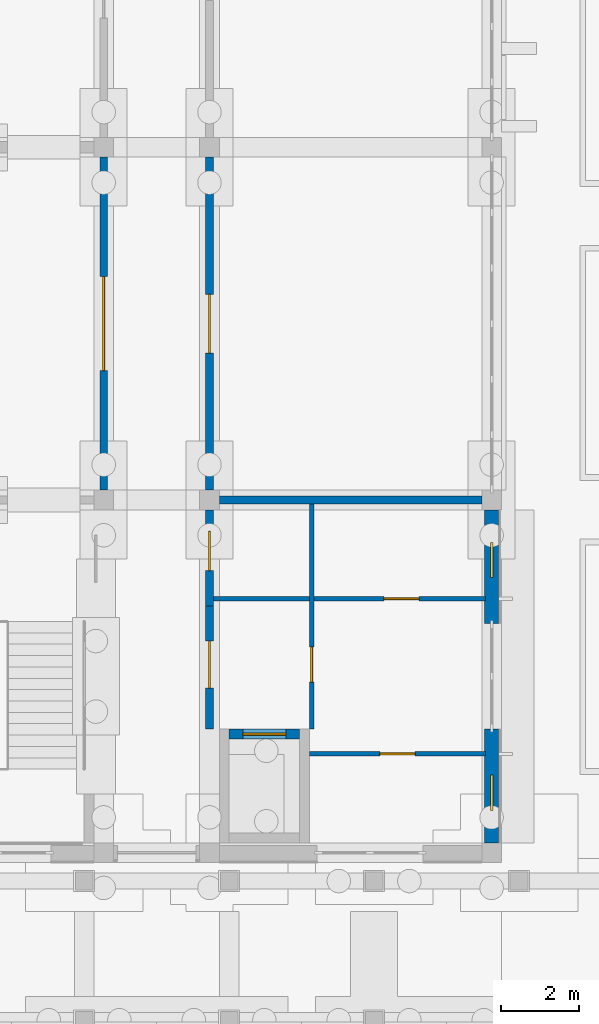
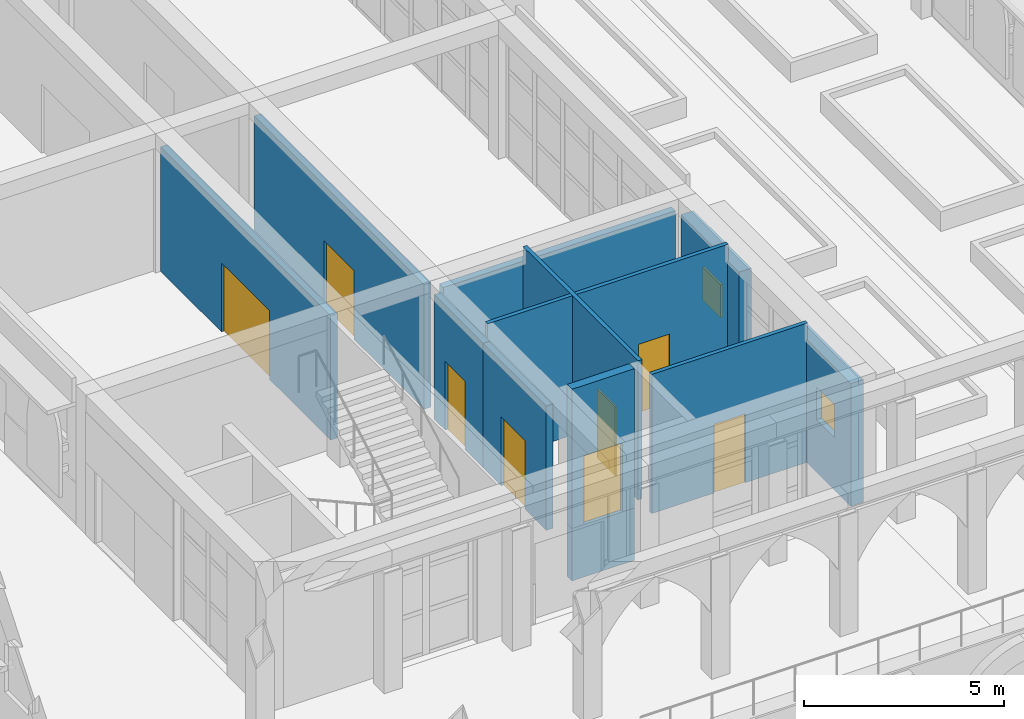
# One storey, part 58 of 161: 12 walls, 8 doors, 2 windows, 10 openings.
"""IFC4 building model written with IfcOpenShell, lengths in metres."""

from ifc_helpers import new_model, si_unit, direction, frame, frame_2d, origin, place, context, subcontext, project, spatial, rectangle, extrude, material, layer, layer_set, type_object, element, fill, save


model = new_model("IFC4")

# Units and contexts
model_context = context("Model", 3, precision=1e-05, world=origin(), true_north=direction((0.0, 1.0)))
body_context = subcontext(model_context, "Body", "Model", "MODEL_VIEW")
ifc_project = project(units=[si_unit("LENGTHUNIT", "METRE"), si_unit("AREAUNIT", "SQUARE_METRE"), si_unit("VOLUMEUNIT", "CUBIC_METRE"), si_unit("PLANEANGLEUNIT", "RADIAN"), si_unit("MASSUNIT", "GRAM", prefix="KILO")], contexts=[model_context])

# Site, building, storey
site_placement = place(None, origin())
site = spatial("IfcSite", under=ifc_project, at=site_placement, CompositionType="ELEMENT")
building_placement = place(site_placement, origin())
building = spatial("IfcBuilding", under=site, at=building_placement, Name="Elbe Cascade School", CompositionType="ELEMENT")
storey_placement = place(building_placement, origin())
storey = spatial("IfcBuildingStorey", under=building, at=storey_placement, Name="L00", CompositionType="ELEMENT", Elevation=0.0)

# Wall, opening, door
ifc_material_1 = material(Name="Masonry - lime-sand block, plastered", Category="masonry")
ifc_layer_1 = layer(ifc_material_1, 0.199951171875)
ifc_layer_set_1 = layer_set([ifc_layer_1], Name="Masonry - lime-sand block, plastered")
wall_type_1 = type_object("IfcWallType", Name="Bar corridor wall lime-sand block 200 EI 30", PredefinedType="PARTITIONING", material=ifc_layer_set_1)
wall_1_placement = place(storey_placement, frame((78.89990234375, 12.300048828125, 0.0), z_axis=(0.0, 0.0, 1.0), x_axis=(0.0, -1.0, 0.0)))
wall_1 = element("IfcWall", 1, at=wall_1_placement, inside=storey, type_object=wall_type_1, Name="Bar corridor wall lime-sand block 200 EI 30", PredefinedType="PARTITIONING", context=body_context, shape_type="SweptSolid", body=[
    extrude(rectangle(XDim=3.150146484375, YDim=0.199951171875, at=frame_2d((1.5751953125, 0.0))), origin(), (0.0, 0.0, 1.0), 3.800048828125),
])
opening_1_placement = place(wall_1_placement, frame((0.89990234375, 0.0, 0.0)))
opening_1 = element("IfcOpeningElement", 2, at=opening_1_placement, cuts=wall_1, Name="Opening D0.006", PredefinedType="OPENING", context=body_context, shape_type="SweptSolid", body=[
    extrude(rectangle(XDim=1.199951171875, YDim=2.10009765625, at=frame_2d((0.60009765625, 1.050048828125))), frame((0.0, 0.10986328125, 0.0), z_axis=(0.0, -1.0, 0.0), x_axis=(1.0, 0.0, 0.0)), (0.0, 0.0, 1.0), 0.219970703125),
])
ifc_material_2 = material(Name="Timber door leaf, fire-resisting and smoke-tight, steel frame", Category="steel")
door_type_1 = type_object("IfcDoorType", Name="Bar door FD30S 1200x2100", OperationType="NOTDEFINED", PredefinedType="DOOR", material=ifc_material_2)
door_1_placement = place(opening_1_placement, origin())
door_1 = element("IfcDoor", 3, at=door_1_placement, inside=storey, type_object=door_type_1, Name="Door A0.06", OperationType="SINGLE_SWING_LEFT", OverallHeight=2.10009765625, OverallWidth=1.199951171875, PredefinedType="DOOR", context=body_context, shape_type="SweptSolid", body=[
    extrude(rectangle(XDim=1.199951171875, YDim=2.10009765625, at=frame_2d((0.60009765625, 1.050048828125))), frame((0.0, 0.02490234375, 0.0), z_axis=(0.0, -1.0, 0.0), x_axis=(1.0, 0.0, 0.0)), (0.0, 0.0, 1.0), 0.050048828125),
])
fill(opening_1, door_1)

wall_2_placement = place(storey_placement, frame((78.89990234375, 12.300048828125, 0.0), z_axis=(0.0, 0.0, 1.0), x_axis=(0.0, 1.0, 0.0)))
wall_2 = element("IfcWall", 4, at=wall_2_placement, inside=storey, type_object=wall_type_1, Name="Bar corridor wall lime-sand block 200 EI 30", PredefinedType="PARTITIONING", context=body_context, shape_type="SweptSolid", body=[
    extrude(rectangle(XDim=2.449951171875, YDim=0.199951171875, at=frame_2d((1.22509765625, 0.0))), origin(), (0.0, 0.0, 1.0), 3.800048828125),
])
opening_2_placement = place(wall_2_placement, frame((0.89990234375, 0.0, 0.0)))
opening_2 = element("IfcOpeningElement", 5, at=opening_2_placement, cuts=wall_2, Name="Opening D0.011", PredefinedType="OPENING", context=body_context, shape_type="SweptSolid", body=[
    extrude(rectangle(XDim=1.0, YDim=2.10009765625, at=frame_2d((0.5, 1.050048828125))), frame((0.0, 0.10986328125, 0.0), z_axis=(0.0, -1.0, 0.0), x_axis=(1.0, 0.0, 0.0)), (0.0, 0.0, 1.0), 0.219970703125),
])
ifc_material_3 = material(Name="Timber door leaf, fire-resisting, steel frame", Category="steel")
door_type_2 = type_object("IfcDoorType", Name="Bar door FD30 1000x2100", OperationType="NOTDEFINED", PredefinedType="DOOR", material=ifc_material_3)
door_2_placement = place(opening_2_placement, origin())
door_2 = element("IfcDoor", 6, at=door_2_placement, inside=storey, type_object=door_type_2, Name="Door A0.10", OperationType="SINGLE_SWING_RIGHT", OverallHeight=2.10009765625, OverallWidth=1.0, PredefinedType="DOOR", context=body_context, shape_type="SweptSolid", body=[
    extrude(rectangle(XDim=1.0, YDim=2.10009765625, at=frame_2d((0.5, 1.050048828125))), frame((0.0, 0.02490234375, 0.0), z_axis=(0.0, -1.0, 0.0), x_axis=(1.0, 0.0, 0.0)), (0.0, 0.0, 1.0), 0.050048828125),
])
fill(opening_2, door_2)

wall_3_placement = place(storey_placement, frame((76.199951171875, 15.25, 0.0), z_axis=(0.0, 0.0, 1.0), x_axis=(0.0, 1.0, 0.0)))
wall_3 = element("IfcWall", 7, at=wall_3_placement, inside=storey, type_object=wall_type_1, Name="Bar corridor wall lime-sand block 200 EI 30", PredefinedType="PARTITIONING", context=body_context, shape_type="SweptSolid", body=[
    extrude(rectangle(XDim=8.5, YDim=0.199951171875, at=frame_2d((4.25, 0.0))), origin(), (0.0, 0.0, 1.0), 3.800048828125),
])
opening_3_placement = place(wall_3_placement, frame((3.050048828125, 0.0, 0.0)))
opening_3 = element("IfcOpeningElement", 8, at=opening_3_placement, cuts=wall_3, Name="Opening D0.013", PredefinedType="OPENING", context=body_context, shape_type="SweptSolid", body=[
    extrude(rectangle(XDim=2.39990234375, YDim=2.10009765625, at=frame_2d((1.199951171875, 1.050048828125))), frame((0.0, 0.10986328125, 0.0), z_axis=(0.0, -1.0, 0.0), x_axis=(1.0, 0.0, 0.0)), (0.0, 0.0, 1.0), 0.219970703125),
])
ifc_material_4 = material(Name="Steel door leaves, fire-resisting, steel frame", Category="steel")
door_type_3 = type_object("IfcDoorType", Name="Bar door FD30 2400x2100", OperationType="NOTDEFINED", PredefinedType="DOOR", material=ifc_material_4)
door_3_placement = place(opening_3_placement, origin())
door_3 = element("IfcDoor", 9, at=door_3_placement, inside=storey, type_object=door_type_3, Name="Door A0.20", OperationType="DOUBLE_DOOR_DOUBLE_SWING", OverallHeight=2.10009765625, OverallWidth=2.39990234375, PredefinedType="DOOR", context=body_context, shape_type="SweptSolid", body=[
    extrude(rectangle(XDim=2.39990234375, YDim=2.10009765625, at=frame_2d((1.199951171875, 1.050048828125))), frame((0.0, 0.02490234375, 0.0), z_axis=(0.0, -1.0, 0.0), x_axis=(1.0, 0.0, 0.0)), (0.0, 0.0, 1.0), 0.050048828125),
])
fill(opening_3, door_3)

wall_4_placement = place(storey_placement, frame((78.89990234375, 23.75, 0.0), z_axis=(0.0, 0.0, 1.0), x_axis=(0.0, -1.0, 0.0)))
wall_4 = element("IfcWall", 10, at=wall_4_placement, inside=storey, type_object=wall_type_1, Name="Bar corridor wall lime-sand block 200 EI 30", PredefinedType="PARTITIONING", context=body_context, shape_type="SweptSolid", body=[
    extrude(rectangle(XDim=8.5, YDim=0.199951171875, at=frame_2d((4.25, 0.0))), origin(), (0.0, 0.0, 1.0), 3.800048828125),
])
opening_4_placement = place(wall_4_placement, frame((3.5, 0.0, 0.0)))
opening_4 = element("IfcOpeningElement", 11, at=opening_4_placement, cuts=wall_4, Name="Opening D0.014", PredefinedType="OPENING", context=body_context, shape_type="SweptSolid", body=[
    extrude(rectangle(XDim=1.5, YDim=2.10009765625, at=frame_2d((0.75, 1.050048828125))), frame((0.0, 0.10986328125, 0.0), z_axis=(0.0, -1.0, 0.0), x_axis=(1.0, 0.0, 0.0)), (0.0, 0.0, 1.0), 0.219970703125),
])
ifc_material_5 = material(Name="Timber door leaves, fire-resisting, steel frame", Category="steel")
door_type_4 = type_object("IfcDoorType", Name="Bar door FD30 1500x2100", OperationType="NOTDEFINED", PredefinedType="DOOR", material=ifc_material_5)
door_4_placement = place(opening_4_placement, origin())
door_4 = element("IfcDoor", 12, at=door_4_placement, inside=storey, type_object=door_type_4, Name="Door A0.25a", OperationType="DOUBLE_DOOR_SINGLE_SWING", OverallHeight=2.10009765625, OverallWidth=1.5, PredefinedType="DOOR", context=body_context, shape_type="SweptSolid", body=[
    extrude(rectangle(XDim=1.5, YDim=2.10009765625, at=frame_2d((0.75, 1.050048828125))), frame((0.0, 0.02490234375, 0.0), z_axis=(0.0, -1.0, 0.0), x_axis=(1.0, 0.0, 0.0)), (0.0, 0.0, 1.0), 0.050048828125),
])
fill(opening_4, door_4)

ifc_material_6 = material(Name="Masonry - lime-sand block, plastered", Category="masonry")
ifc_layer_2 = layer(ifc_material_6, 0.114990234375)
ifc_layer_set_2 = layer_set([ifc_layer_2], Name="Masonry - lime-sand block, plastered")
wall_type_2 = type_object("IfcWallType", Name="Bar light partition wall lime-sand block 115", PredefinedType="PARTITIONING", material=ifc_layer_set_2)
wall_5_placement = place(storey_placement, frame((81.507568359375, 14.89990234375, 0.0), z_axis=(0.0, 0.0, 1.0), x_axis=(0.0, -1.0, 0.0)))
wall_5 = element("IfcWall", 13, at=wall_5_placement, inside=storey, type_object=wall_type_2, Name="Bar light partition wall lime-sand block 115", PredefinedType="PARTITIONING", context=body_context, shape_type="SweptSolid", body=[
    extrude(rectangle(XDim=5.75, YDim=0.114990234375, at=frame_2d((2.875, 0.0))), origin(), (0.0, 0.0, 1.0), 4.25),
])
opening_5_placement = place(wall_5_placement, frame((3.64990234375, 0.0, 0.0)))
opening_5 = element("IfcOpeningElement", 14, at=opening_5_placement, cuts=wall_5, Name="Opening D0.007", PredefinedType="OPENING", context=body_context, shape_type="SweptSolid", body=[
    extrude(rectangle(XDim=0.89990234375, YDim=2.10009765625, at=frame_2d((0.449951171875, 1.050048828125))), frame((0.0, 0.0673828125, 0.0), z_axis=(0.0, -1.0, 0.0), x_axis=(1.0, 0.0, 0.0)), (0.0, 0.0, 1.0), 0.135009765625),
])
ifc_material_7 = material(Name="Timber door leaf, steel frame", Category="steel")
door_type_5 = type_object("IfcDoorType", Name="Bar door 900x2100", OperationType="NOTDEFINED", PredefinedType="DOOR", material=ifc_material_7)
door_5_placement = place(opening_5_placement, origin())
door_5 = element("IfcDoor", 15, at=door_5_placement, inside=storey, type_object=door_type_5, Name="Door A0.07", OperationType="SINGLE_SWING_LEFT", OverallHeight=2.10009765625, OverallWidth=0.89990234375, PredefinedType="DOOR", context=body_context, shape_type="SweptSolid", body=[
    extrude(rectangle(XDim=0.89990234375, YDim=2.10009765625, at=frame_2d((0.449951171875, 1.050048828125))), frame((0.0, 0.02490234375, 0.0), z_axis=(0.0, -1.0, 0.0), x_axis=(1.0, 0.0, 0.0)), (0.0, 0.0, 1.0), 0.050048828125),
])
fill(opening_5, door_5)

wall_6_placement = place(storey_placement, frame((85.949951171875, 8.52001953125, 0.0), z_axis=(0.0, 0.0, 1.0), x_axis=(-1.0, 0.0, 0.0)))
wall_6 = element("IfcWall", 16, at=wall_6_placement, inside=storey, type_object=wall_type_2, Name="Bar light partition wall lime-sand block 115", PredefinedType="PARTITIONING", context=body_context, shape_type="SweptSolid", body=[
    extrude(rectangle(XDim=4.5, YDim=0.114990234375, at=frame_2d((2.25, 0.0))), origin(), (0.0, 0.0, 1.0), 4.25),
])
opening_6_placement = place(wall_6_placement, frame((1.800048828125, 0.0, 0.0)))
opening_6 = element("IfcOpeningElement", 17, at=opening_6_placement, cuts=wall_6, Name="Opening D0.003", PredefinedType="OPENING", context=body_context, shape_type="SweptSolid", body=[
    extrude(rectangle(XDim=0.89990234375, YDim=2.10009765625, at=frame_2d((0.449951171875, 1.050048828125))), frame((0.0, 0.0673828125, 0.0), z_axis=(0.0, -1.0, 0.0), x_axis=(1.0, 0.0, 0.0)), (0.0, 0.0, 1.0), 0.135009765625),
])
door_6_placement = place(opening_6_placement, origin())
door_6 = element("IfcDoor", 18, at=door_6_placement, inside=storey, type_object=door_type_5, Name="Door A0.08", OperationType="SINGLE_SWING_LEFT", OverallHeight=2.10009765625, OverallWidth=0.89990234375, PredefinedType="DOOR", context=body_context, shape_type="SweptSolid", body=[
    extrude(rectangle(XDim=0.89990234375, YDim=2.10009765625, at=frame_2d((0.449951171875, 1.050048828125))), frame((0.0, 0.02490234375, 0.0), z_axis=(0.0, -1.0, 0.0), x_axis=(1.0, 0.0, 0.0)), (0.0, 0.0, 1.0), 0.050048828125),
])
fill(opening_6, door_6)

wall_7_placement = place(storey_placement, frame((79.0, 12.47998046875, 0.0), z_axis=(0.0, 0.0, 1.0), x_axis=(1.0, 0.0, 0.0)))
wall_7 = element("IfcWall", 19, at=wall_7_placement, inside=storey, type_object=wall_type_2, Name="Bar light partition wall lime-sand block 115", PredefinedType="PARTITIONING", context=body_context, shape_type="SweptSolid", body=[
    extrude(rectangle(XDim=6.949951171875, YDim=0.114990234375, at=frame_2d((3.47509765625, 0.0))), origin(), (0.0, 0.0, 1.0), 4.25),
])
opening_7_placement = place(wall_7_placement, frame((4.35009765625, 0.0, 0.0)))
opening_7 = element("IfcOpeningElement", 20, at=opening_7_placement, cuts=wall_7, Name="Opening D0.008", PredefinedType="OPENING", context=body_context, shape_type="SweptSolid", body=[
    extrude(rectangle(XDim=0.89990234375, YDim=2.10009765625, at=frame_2d((0.449951171875, 1.050048828125))), frame((0.0, 0.0673828125, 0.0), z_axis=(0.0, -1.0, 0.0), x_axis=(1.0, 0.0, 0.0)), (0.0, 0.0, 1.0), 0.135009765625),
])
door_7_placement = place(opening_7_placement, origin())
door_7 = element("IfcDoor", 21, at=door_7_placement, inside=storey, type_object=door_type_5, Name="Door A0.09", OperationType="SINGLE_SWING_RIGHT", OverallHeight=2.10009765625, OverallWidth=0.89990234375, PredefinedType="DOOR", context=body_context, shape_type="SweptSolid", body=[
    extrude(rectangle(XDim=0.89990234375, YDim=2.10009765625, at=frame_2d((0.449951171875, 1.050048828125))), frame((0.0, 0.02490234375, 0.0), z_axis=(0.0, -1.0, 0.0), x_axis=(1.0, 0.0, 0.0)), (0.0, 0.0, 1.0), 0.050048828125),
])
fill(opening_7, door_7)

# Wall
ifc_material_8 = material(Name="Masonry - lime-sand block, plastered", Category="masonry")
ifc_layer_3 = layer(ifc_material_8, 0.199951171875)
ifc_layer_set_3 = layer_set([ifc_layer_3], Name="Masonry - lime-sand block, plastered")
wall_type_3 = type_object("IfcWallType", Name="Bar partition wall lime-sand block 200", PredefinedType="PARTITIONING", material=ifc_layer_set_3)
wall_8_placement = place(storey_placement, frame((79.14990234375, 15.0, 0.0), z_axis=(0.0, 0.0, 1.0), x_axis=(1.0, 0.0, 0.0)))
element("IfcWall", 22, at=wall_8_placement, inside=storey, type_object=wall_type_3, Name="Bar partition wall lime-sand block 200", PredefinedType="PARTITIONING", context=body_context, shape_type="SweptSolid", body=[
    extrude(rectangle(XDim=6.7001953125, YDim=0.199951171875, at=frame_2d((3.35009765625, 0.0))), origin(), (0.0, 0.0, 1.0), 3.800048828125),
])

# Wall, opening, window
ifc_material_9 = material(Name="Brick masonry - red clinker, cavity wall with render backing", Category="masonry")
ifc_layer_4 = layer(ifc_material_9, 0.360107421875)
ifc_layer_set_4 = layer_set([ifc_layer_4], Name="Brick masonry - red clinker, cavity wall with render backing")
wall_type_4 = type_object("IfcWallType", Name="Bars envelope External wall - clinker brick cavity, 360 ground floor", PredefinedType="STANDARD", material=ifc_layer_set_4)
wall_9_placement = place(storey_placement, frame((86.10009765625, 9.14990234375, 0.0), z_axis=(0.0, 0.0, 1.0), x_axis=(0.0, -1.0, 0.0)))
wall_9 = element("IfcWall", 23, at=wall_9_placement, inside=storey, type_object=wall_type_4, Name="External wall W29 A.L00.e1a", PredefinedType="STANDARD", context=body_context, shape_type="SweptSolid", body=[
    extrude(rectangle(XDim=2.89990234375, YDim=0.360107421875, at=frame_2d((1.449951171875, 0.0))), origin(), (0.0, 0.0, 1.0), 3.75),
])
opening_8_placement = place(wall_9_placement, frame((1.169921875, 0.0, 1.60009765625)))
opening_8 = element("IfcOpeningElement", 24, at=opening_8_placement, cuts=wall_9, Name="Opening W0.001", PredefinedType="OPENING", context=body_context, shape_type="SweptSolid", body=[
    extrude(rectangle(XDim=0.89990234375, YDim=1.0, at=frame_2d((0.449951171875, 0.5))), frame((0.0, 0.18994140625, 0.0), z_axis=(0.0, -1.0, 0.0), x_axis=(1.0, 0.0, 0.0)), (0.0, 0.0, 1.0), 0.380126953125),
])
ifc_material_10 = material(Name="Aluminium frame with double glazing, bronze anodised", Category="aluminium")
window_type = type_object("IfcWindowType", Name="Bars envelope Window 900 x 1000, WC and service room, high level, aluminium double glazed", PartitioningType="SINGLE_PANEL", PredefinedType="WINDOW", material=ifc_material_10)
window_1_placement = place(opening_8_placement, origin())
window_1 = element("IfcWindow", 25, at=window_1_placement, inside=storey, type_object=window_type, Name="Window WN4 A.L00.e1a.1", OverallHeight=1.0, OverallWidth=0.89990234375, PartitioningType="SINGLE_PANEL", PredefinedType="WINDOW", context=body_context, shape_type="SweptSolid", body=[
    extrude(rectangle(XDim=0.89990234375, YDim=1.0, at=frame_2d((0.449951171875, 0.5))), frame((0.0, 0.030029296875, 0.0), z_axis=(0.0, -1.0, 0.0), x_axis=(1.0, 0.0, 0.0)), (0.0, 0.0, 1.0), 0.06005859375),
])
fill(opening_8, window_1)

wall_10_placement = place(storey_placement, frame((86.10009765625, 14.75, 0.0), z_axis=(0.0, 0.0, 1.0), x_axis=(0.0, -1.0, 0.0)))
wall_10 = element("IfcWall", 26, at=wall_10_placement, inside=storey, type_object=wall_type_4, Name="External wall W29 A.L00.e1b", PredefinedType="STANDARD", context=body_context, shape_type="SweptSolid", body=[
    extrude(rectangle(XDim=2.89990234375, YDim=0.360107421875, at=frame_2d((1.449951171875, 0.0))), origin(), (0.0, 0.0, 1.0), 3.75),
])
opening_9_placement = place(wall_10_placement, frame((0.830078125, 0.0, 1.60009765625)))
opening_9 = element("IfcOpeningElement", 27, at=opening_9_placement, cuts=wall_10, Name="Opening W0.002", PredefinedType="OPENING", context=body_context, shape_type="SweptSolid", body=[
    extrude(rectangle(XDim=0.89990234375, YDim=1.0, at=frame_2d((0.449951171875, 0.5))), frame((0.0, 0.18994140625, 0.0), z_axis=(0.0, -1.0, 0.0), x_axis=(1.0, 0.0, 0.0)), (0.0, 0.0, 1.0), 0.380126953125),
])
window_2_placement = place(opening_9_placement, origin())
window_2 = element("IfcWindow", 28, at=window_2_placement, inside=storey, type_object=window_type, Name="Window WN4 A.L00.e1b.1", OverallHeight=1.0, OverallWidth=0.89990234375, PartitioningType="SINGLE_PANEL", PredefinedType="WINDOW", context=body_context, shape_type="SweptSolid", body=[
    extrude(rectangle(XDim=0.89990234375, YDim=1.0, at=frame_2d((0.449951171875, 0.5))), frame((0.0, 0.030029296875, 0.0), z_axis=(0.0, -1.0, 0.0), x_axis=(1.0, 0.0, 0.0)), (0.0, 0.0, 1.0), 0.06005859375),
])
fill(opening_9, window_2)

# Wall, opening, door
ifc_material_11 = material(Name="Concrete C30/37", Category="concrete")
ifc_layer_5 = layer(ifc_material_11, 0.25)
ifc_layer_set_5 = layer_set([ifc_layer_5], Name="Concrete C30/37")
wall_type_5 = type_object("IfcWallType", Name="Shaft wall 250", PredefinedType="SHEAR", material=ifc_layer_set_5)
wall_11_placement = place(storey_placement, frame((79.39990234375, 9.02490234375, 0.0), z_axis=(0.0, 0.0, 1.0), x_axis=(1.0, 0.0, 0.0)))
wall_11 = element("IfcWall", 29, at=wall_11_placement, inside=storey, type_object=wall_type_5, Name="Shaft wall 250 W1", PredefinedType="SHEAR", context=body_context, shape_type="SweptSolid", body=[
    extrude(rectangle(XDim=1.800048828125, YDim=0.25, at=frame_2d((0.89990234375, 0.0))), origin(), (0.0, 0.0, 1.0), 4.25),
])
opening_10_placement = place(wall_11_placement, frame((0.35009765625, 0.0, 0.0)))
opening_10 = element("IfcOpeningElement", 30, at=opening_10_placement, cuts=wall_11, Name="Opening D0.004", PredefinedType="OPENING", context=body_context, shape_type="SweptSolid", body=[
    extrude(rectangle(XDim=1.10009765625, YDim=2.10009765625, at=frame_2d((0.550048828125, 1.050048828125))), frame((0.0, 0.135009765625, 0.0), z_axis=(0.0, -1.0, 0.0), x_axis=(1.0, 0.0, 0.0)), (0.0, 0.0, 1.0), 0.27001953125),
])
ifc_material_12 = material(Name="Stainless steel sliding door leaf", Category="steel")
door_type_6 = type_object("IfcDoorType", Name="Bar lift landing door 1100x2100", OperationType="SLIDING_TO_LEFT", PredefinedType="DOOR", material=ifc_material_12)
door_8_placement = place(opening_10_placement, origin())
door_8 = element("IfcDoor", 31, at=door_8_placement, inside=storey, type_object=door_type_6, Name="Lift landing door LDA0.1", OperationType="SLIDING_TO_LEFT", OverallHeight=2.10009765625, OverallWidth=1.10009765625, PredefinedType="DOOR", context=body_context, shape_type="SweptSolid", body=[
    extrude(rectangle(XDim=1.10009765625, YDim=2.10009765625, at=frame_2d((0.550048828125, 1.050048828125))), frame((0.0, 0.02490234375, 0.0), z_axis=(0.0, -1.0, 0.0), x_axis=(1.0, 0.0, 0.0)), (0.0, 0.0, 1.0), 0.050048828125),
])
fill(opening_10, door_8)

# Wall
wall_12_placement = place(storey_placement, frame((79.39990234375, 9.02490234375, -1.60009765625), z_axis=(0.0, 0.0, 1.0), x_axis=(1.0, 0.0, 0.0)))
element("IfcWall", 32, at=wall_12_placement, inside=storey, type_object=wall_type_5, Name="Shaft wall 250 W1", PredefinedType="SHEAR", context=body_context, shape_type="SweptSolid", body=[
    extrude(rectangle(XDim=1.800048828125, YDim=0.25, at=frame_2d((0.89990234375, 0.0))), origin(), (0.0, 0.0, 1.0), 1.60009765625),
])

save(model, "model.ifc")
